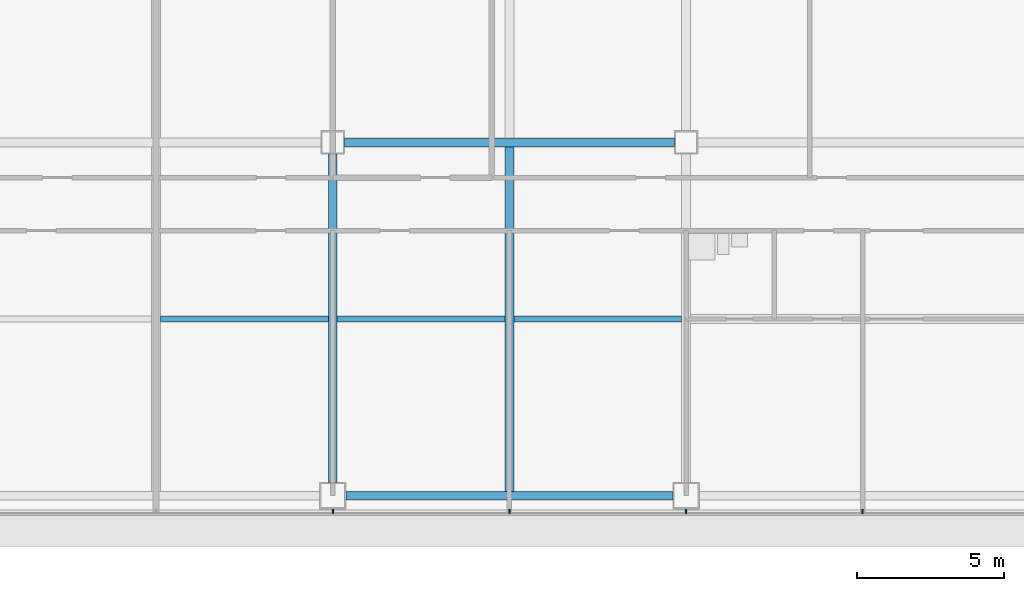
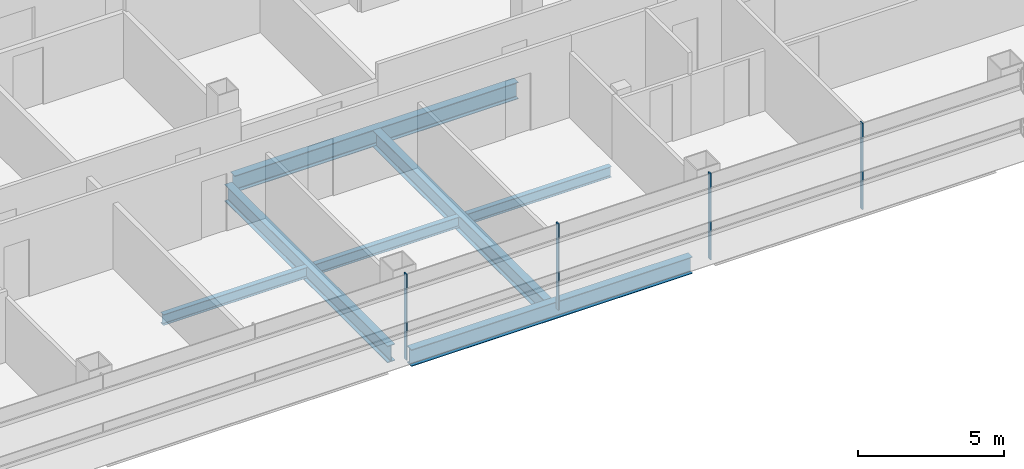
# One storey, part 8 of 27: 7 beams, 4 members, 1 element without a shape of its own.
"""IFC4 building model written with IfcOpenShell, lengths in metres."""

import ifcopenshell
import ifcopenshell.guid

model = None  # the IFC model being written
_history = None  # IfcOwnerHistory: only IFC2X3 demands one
_inside = {}  # id of a spatial element -> (the spatial element, [elements in it])
_under = {}  # id of a project, library or spatial element -> (it, [spatial elements below it])
_declared = {}  # id of a project -> (the project, [libraries it declares])
_typed = {}  # id of a type object -> (the type object, [elements of that type])
_made_of = {}  # id of a material, layer set ... -> (it, [elements and type objects made of it])


def new_model(schema):
    """Start an empty IFC model of exactly this schema.

    Asked for "IFC4X3", IfcOpenShell would pick the latest addendum, in which some entities
    have other attributes; the version numbers below select the first issue.
    IFC2X3 requires an IfcOwnerHistory on every rooted entity: one is made here for all.
    """
    global model, _history
    if schema == "IFC4X3":
        model = ifcopenshell.file(schema_version=(4, 3, 0, 0))
    else:
        model = ifcopenshell.file(schema=schema)
    _inside.clear()
    _under.clear()
    _declared.clear()
    _typed.clear()
    _made_of.clear()
    _history = None
    if model.schema == "IFC2X3":
        org = make("IfcOrganization", Name="unknown")
        user = make(
            "IfcPersonAndOrganization",
            ThePerson=make("IfcPerson", FamilyName="unknown"),
            TheOrganization=org,
        )
        app = make(
            "IfcApplication",
            ApplicationDeveloper=org,
            Version="unknown",
            ApplicationFullName="unknown",
            ApplicationIdentifier="unknown",
        )
        _history = make(
            "IfcOwnerHistory",
            OwningUser=user,
            OwningApplication=app,
            ChangeAction="ADDED",
            CreationDate=0,
        )
    return model


def make(cls, **values):
    """One entity of the class cls with the attributes given. An attribute that is None is left unset."""
    return model.create_entity(
        cls, **{name: value for name, value in values.items() if value is not None}
    )


def rooted(cls, **values):
    """An entity with a GlobalId (a new one), such as an element, a storey or a relation."""
    return make(cls, GlobalId=ifcopenshell.guid.new(), OwnerHistory=_history, **values)


def si_unit(unit_type, name, prefix=None):
    """IfcSIUnit, for example si_unit("LENGTHUNIT", "METRE", prefix="MILLI")."""
    return make("IfcSIUnit", UnitType=unit_type, Prefix=prefix, Name=name)


def assignment(units):
    """IfcUnitAssignment: the units of a project."""
    return None if units is None else make("IfcUnitAssignment", Units=units)


def point(xyz):
    """IfcCartesianPoint."""
    return None if xyz is None else make("IfcCartesianPoint", Coordinates=xyz)


def direction(xyz):
    """IfcDirection."""
    return None if xyz is None else make("IfcDirection", DirectionRatios=xyz)


def frame(location, z_axis=None, x_axis=None):
    """IfcAxis2Placement3D, a coordinate frame: its origin and axes. An axis left out is left unset."""
    return make(
        "IfcAxis2Placement3D",
        Location=point(location),
        Axis=direction(z_axis),
        RefDirection=direction(x_axis),
    )


def frame_2d(location, x_axis=None):
    """IfcAxis2Placement2D, a coordinate frame in the plane: its origin and x axis."""
    return make(
        "IfcAxis2Placement2D", Location=point(location), RefDirection=direction(x_axis)
    )


def origin():
    """The frame at (0, 0, 0) with its axes left unset."""
    return frame((0.0, 0.0, 0.0))


def origin_2d():
    """The frame at (0, 0) in the plane with its x axis left unset."""
    return frame_2d((0.0, 0.0))


def place(relative_to, where):
    """IfcLocalPlacement: puts the frame where relative to a parent placement (None: the world)."""
    return make(
        "IfcLocalPlacement", PlacementRelTo=relative_to, RelativePlacement=where
    )


def context(
    kind, dimensions, precision=None, world=None, true_north=None, identifier=None
):
    """IfcGeometricRepresentationContext, for example the 3D "Model" context."""
    return make(
        "IfcGeometricRepresentationContext",
        ContextIdentifier=identifier,
        ContextType=kind,
        CoordinateSpaceDimension=dimensions,
        Precision=precision,
        WorldCoordinateSystem=world,
        TrueNorth=true_north,
    )


def subcontext(parent, identifier, kind, view, scale=None):
    """IfcGeometricRepresentationSubContext, for example "Body" below "Model"."""
    return make(
        "IfcGeometricRepresentationSubContext",
        ContextIdentifier=identifier,
        ContextType=kind,
        ParentContext=parent,
        TargetScale=scale,
        TargetView=view,
    )


def project(units=None, contexts=None):
    """IfcProject with its units and contexts."""
    return rooted(
        "IfcProject",
        Name="project",
        RepresentationContexts=contexts,
        UnitsInContext=assignment(units),
    )


def spatial(cls, under=None, at=None, **own):
    """A site, building, storey or space (cls), placed at a placement, below another one or the project."""
    s = rooted(cls, ObjectPlacement=at, **own)
    if under is not None:
        _under.setdefault(under.id(), (under, []))[1].append(s)
    return s


def profile(cls, at=None, kind="AREA", **sizes):
    """A parametric profile (cls). Its sizes go by their IFC names, for example OverallWidth=200.0."""
    return make(cls, ProfileType=kind, Position=at, **sizes)


def rectangle(**sizes):
    """IfcRectangleProfileDef."""
    return profile("IfcRectangleProfileDef", **sizes)


def i_section(**sizes):
    """IfcIShapeProfileDef."""
    return profile("IfcIShapeProfileDef", **sizes)


def extrude(swept, where, along, depth):
    """IfcExtrudedAreaSolid: the profile swept, set in the frame where, extruded along a direction by depth."""
    return make(
        "IfcExtrudedAreaSolid",
        SweptArea=swept,
        Position=where,
        ExtrudedDirection=direction(along),
        Depth=depth,
    )


def shape(context_of_items, identifier, shape_type, items):
    """IfcShapeRepresentation: the items that make up one representation, for example the "Body"."""
    return make(
        "IfcShapeRepresentation",
        ContextOfItems=context_of_items,
        RepresentationIdentifier=identifier,
        RepresentationType=shape_type,
        Items=items,
    )


def material(Name=None, Category=None):
    """IfcMaterial."""
    return make("IfcMaterial", Name=Name, Category=Category)


def material_profile(
    of_material, cross_section, Name=None, Category=None, Priority=None
):
    """IfcMaterialProfile: a cross section and its material."""
    return make(
        "IfcMaterialProfile",
        Name=Name,
        Material=of_material,
        Profile=cross_section,
        Priority=Priority,
        Category=Category,
    )


def profile_set(profiles, Name=None, composite=None):
    """IfcMaterialProfileSet."""
    return make(
        "IfcMaterialProfileSet",
        Name=Name,
        MaterialProfiles=profiles,
        CompositeProfile=composite,
    )


def made_of(thing, what):
    """Note that an element or type object is made of a material, layer set ...; save() writes the relation."""
    if what is not None:
        _made_of.setdefault(what.id(), (what, []))[1].append(thing)
    return thing


def type_object(cls, material=None, **own):
    """A type object (cls), such as IfcWallType, which elements share."""
    return made_of(rooted(cls, **own), material)


def element(
    cls,
    number,
    at=None,
    inside=None,
    cuts=None,
    type_object=None,
    material=None,
    context=None,
    identifier="Body",
    shape_type=None,
    held_by="IfcProductDefinitionShape",
    body=None,
    shapes=None,
    **own,
):
    """One element of the class cls, such as IfcWall. Its Tag is "e" and its number.

    at: its placement. inside: the storey or other place that contains it. cuts: it is an
    opening in that element (IfcRelVoidsElement). A single representation is given by context,
    identifier, shape_type and body (its items); several are given by shapes. held_by: the class
    of the entity that holds the representations. save() writes the other relations.
    """
    e = rooted(cls, Tag="e%d" % number, ObjectPlacement=at, **own)
    if body is not None:
        shapes = [shape(context, identifier, shape_type, body)]
    if shapes is not None:
        e.Representation = make(held_by, Representations=shapes)
    if inside is not None:
        _inside.setdefault(inside.id(), (inside, []))[1].append(e)
    if cuts is not None:
        rooted(
            "IfcRelVoidsElement", RelatingBuildingElement=cuts, RelatedOpeningElement=e
        )
    if type_object is not None:
        _typed.setdefault(type_object.id(), (type_object, []))[1].append(e)
    return made_of(e, material)


def aggregate(whole, parts):
    """IfcRelAggregates: a whole, such as a stair, and the parts it consists of."""
    return rooted("IfcRelAggregates", RelatingObject=whole, RelatedObjects=parts)


def save(model, path):
    """Write the relations noted so far, then the file.

    IfcRelAggregates (storeys below a building ...), IfcRelContainedInSpatialStructure (elements
    in a storey), IfcRelDefinesByType, IfcRelAssociatesMaterial and IfcRelDeclares: one each for
    every whole, place, type object, material and project.
    """
    for whole, parts in _under.values():
        aggregate(whole, parts)
    for where, things in _inside.values():
        rooted(
            "IfcRelContainedInSpatialStructure",
            RelatedElements=things,
            RelatingStructure=where,
        )
    for kind, things in _typed.values():
        rooted("IfcRelDefinesByType", RelatedObjects=things, RelatingType=kind)
    for what, things in _made_of.values():
        rooted("IfcRelAssociatesMaterial", RelatedObjects=things, RelatingMaterial=what)
    for by, libraries in _declared.values():
        rooted("IfcRelDeclares", RelatingContext=by, RelatedDefinitions=libraries)
    model.write(path)


model = new_model("IFC4")

# Units and contexts
model_context = context("Model", 3, precision=1e-05, world=origin(), true_north=direction((0.0, 1.0)))
body_context = subcontext(model_context, "Body", "Model", "MODEL_VIEW")
ifc_project = project(units=[si_unit("LENGTHUNIT", "METRE"), si_unit("AREAUNIT", "SQUARE_METRE"), si_unit("VOLUMEUNIT", "CUBIC_METRE"), si_unit("PLANEANGLEUNIT", "RADIAN"), si_unit("MASSUNIT", "GRAM", prefix="KILO")], contexts=[model_context])

# Site, building, storey
site_placement = place(None, origin())
site = spatial("IfcSite", under=ifc_project, at=site_placement, CompositionType="ELEMENT")
building_placement = place(site_placement, origin())
building = spatial("IfcBuilding", under=site, at=building_placement, Name="Sorahane Residences", CompositionType="ELEMENT")
storey_placement = place(building_placement, frame((0.0, 0.0, 75.0)))
storey = spatial("IfcBuildingStorey", under=building, at=storey_placement, Name="L15", CompositionType="ELEMENT", Elevation=75.0)

# Curtain wall, members
ifc_material_1 = material(Name="Dark low-e glass and black anodised aluminium", Category="aluminium")
curtain_wall_type = type_object("IfcCurtainWallType", Name="Curtain wall CW-1 Typical unitised wall", PredefinedType="NOTDEFINED", material=ifc_material_1)
curtain_wall_placement = place(storey_placement, origin())
curtain_wall = element("IfcCurtainWall", 1, at=curtain_wall_placement, inside=storey, type_object=curtain_wall_type, Name="CW-1 curtain wall L15 S1", PredefinedType="NOTDEFINED")
ifc_material_2 = material(Name="Black anodised aluminium", Category="aluminium")
ifc_material_profile_1 = material_profile(ifc_material_2, rectangle(XDim=0.159912109375, YDim=0.050048828125, at=origin_2d()), Name="Curtain wall mullion CW-1 black anodised aluminium 50x160")
ifc_profile_set_1 = profile_set([ifc_material_profile_1], Name="Black anodised aluminium")
member_type = type_object("IfcMemberType", Name="Curtain wall mullion CW-1 black anodised aluminium 50x160", PredefinedType="MULLION", material=ifc_profile_set_1)
member_1_placement = place(storey_placement, frame((36.0, -0.5400390625, -0.179931640625), z_axis=(0.0, 0.0, 1.0), x_axis=(0.0, -1.0, 0.0)))
member_1 = element("IfcMember", 2, at=member_1_placement, type_object=member_type, Name="CW-1 mullion L15 S1.6", PredefinedType="MULLION", context=body_context, shape_type="SweptSolid", body=[
    extrude(rectangle(XDim=0.159912109375, YDim=0.050048828125, at=origin_2d()), origin(), (0.0, 0.0, 1.0), 3.599853515625),
])
member_2_placement = place(storey_placement, frame((42.0, -0.5400390625, -0.179931640625), z_axis=(0.0, 0.0, 1.0), x_axis=(0.0, -1.0, 0.0)))
member_2 = element("IfcMember", 3, at=member_2_placement, type_object=member_type, Name="CW-1 mullion L15 S1.7", PredefinedType="MULLION", context=body_context, shape_type="SweptSolid", body=[
    extrude(rectangle(XDim=0.159912109375, YDim=0.050048828125, at=origin_2d()), origin(), (0.0, 0.0, 1.0), 3.599853515625),
])
member_3_placement = place(storey_placement, frame((48.0, -0.5400390625, -0.179931640625), z_axis=(0.0, 0.0, 1.0), x_axis=(0.0, -1.0, 0.0)))
member_3 = element("IfcMember", 4, at=member_3_placement, type_object=member_type, Name="CW-1 mullion L15 S1.8", PredefinedType="MULLION", context=body_context, shape_type="SweptSolid", body=[
    extrude(rectangle(XDim=0.159912109375, YDim=0.050048828125, at=origin_2d()), origin(), (0.0, 0.0, 1.0), 3.599853515625),
])
member_4_placement = place(storey_placement, frame((54.0, -0.5400390625, -0.179931640625), z_axis=(0.0, 0.0, 1.0), x_axis=(0.0, -1.0, 0.0)))
member_4 = element("IfcMember", 5, at=member_4_placement, type_object=member_type, Name="CW-1 mullion L15 S1.9", PredefinedType="MULLION", context=body_context, shape_type="SweptSolid", body=[
    extrude(rectangle(XDim=0.159912109375, YDim=0.050048828125, at=origin_2d()), origin(), (0.0, 0.0, 1.0), 3.599853515625),
])
aggregate(curtain_wall, [member_1, member_2, member_3, member_4])

# Beams
ifc_material_3 = material(Name="Steel Q355B", Category="steel")
ifc_material_profile_2 = material_profile(ifc_material_3, i_section(OverallWidth=0.199951171875, OverallDepth=0.449951171875, WebThickness=0.009033203125, FlangeThickness=0.013916015625, FilletRadius=0.02001953125, at=origin_2d()), Name="HN 450x200x9x14")
ifc_profile_set_2 = profile_set([ifc_material_profile_2], Name="Steel Q355B")
beam_type_1 = type_object("IfcBeamType", Name="Steel floor beam HN 450x200x9x14 Q355B", PredefinedType="BEAM", material=ifc_profile_set_2)
for number, where, z_axis, x_axis, name in (
    (6, (30.14990234375, 6.0, -0.405029296875), (1.0, 0.0, 0.0), (0.0, 1.0, 0.0), "Beam L15 066"),
    (7, (36.14990234375, 6.0, -0.405029296875), (1.0, 0.0, 0.0), (0.0, 1.0, 0.0), "Beam L15 067"),
    (8, (42.14990234375, 6.0, -0.405029296875), (1.0, 0.0, 0.0), (0.0, 1.0, 0.0), "Beam L15 068"),
):
    element("IfcBeam", number, at=place(storey_placement, frame(where, z_axis=z_axis, x_axis=x_axis)), inside=storey, type_object=beam_type_1, Name=name, PredefinedType="BEAM", context=body_context, shape_type="SweptSolid", body=[
        extrude(i_section(OverallWidth=0.199951171875, OverallDepth=0.449951171875, WebThickness=0.009033203125, FlangeThickness=0.013916015625, FilletRadius=0.02001953125, at=origin_2d()), origin(), (0.0, 0.0, 1.0), 5.7001953125),
    ])
ifc_material_4 = material(Name="Steel Q355B", Category="steel")
ifc_material_profile_3 = material_profile(ifc_material_4, i_section(OverallWidth=0.300048828125, OverallDepth=0.699951171875, WebThickness=0.012939453125, FlangeThickness=0.02392578125, FilletRadius=0.028076171875, at=origin_2d()), Name="HN 700x300x13x24")
ifc_profile_set_3 = profile_set([ifc_material_profile_3], Name="Steel Q355B")
beam_type_2 = type_object("IfcBeamType", Name="Steel floor beam HN 700x300x13x24 Q355B", PredefinedType="BEAM", material=ifc_profile_set_3)
beam_1_placement = place(storey_placement, frame((36.449951171875, 0.0, -0.530029296875), z_axis=(1.0, 0.0, 0.0), x_axis=(0.0, 1.0, 0.0)))
element("IfcBeam", 9, at=beam_1_placement, inside=storey, type_object=beam_type_2, Name="Beam L15 003", PredefinedType="BEAM", context=body_context, shape_type="SweptSolid", body=[
    extrude(i_section(OverallWidth=0.300048828125, OverallDepth=0.699951171875, WebThickness=0.012939453125, FlangeThickness=0.02392578125, FilletRadius=0.028076171875, at=origin_2d()), origin(), (0.0, 0.0, 1.0), 11.10009765625),
])
beam_2_placement = place(storey_placement, frame((36.39990234375, 12.0, -0.530029296875), z_axis=(1.0, 0.0, 0.0), x_axis=(0.0, 1.0, 0.0)))
element("IfcBeam", 10, at=beam_2_placement, inside=storey, type_object=beam_type_2, Name="Beam L15 008", PredefinedType="BEAM", context=body_context, shape_type="SweptSolid", body=[
    extrude(i_section(OverallWidth=0.300048828125, OverallDepth=0.699951171875, WebThickness=0.012939453125, FlangeThickness=0.02392578125, FilletRadius=0.028076171875, at=origin_2d()), origin(), (0.0, 0.0, 1.0), 11.2001953125),
])
beam_3_placement = place(storey_placement, frame((36.0, 0.449951171875, -0.530029296875), z_axis=(0.0, 1.0, 0.0), x_axis=(-1.0, 0.0, 0.0)))
element("IfcBeam", 11, at=beam_3_placement, inside=storey, type_object=beam_type_2, Name="Beam L15 043", PredefinedType="BEAM", context=body_context, shape_type="SweptSolid", body=[
    extrude(i_section(OverallWidth=0.300048828125, OverallDepth=0.699951171875, WebThickness=0.012939453125, FlangeThickness=0.02392578125, FilletRadius=0.028076171875, at=origin_2d()), origin(), (0.0, 0.0, 1.0), 11.150146484375),
])
beam_4_placement = place(storey_placement, frame((42.0, 0.14990234375, -0.530029296875), z_axis=(0.0, 1.0, 0.0), x_axis=(-1.0, 0.0, 0.0)))
element("IfcBeam", 12, at=beam_4_placement, inside=storey, type_object=beam_type_2, Name="Beam L15 045", PredefinedType="BEAM", context=body_context, shape_type="SweptSolid", body=[
    extrude(i_section(OverallWidth=0.300048828125, OverallDepth=0.699951171875, WebThickness=0.012939453125, FlangeThickness=0.02392578125, FilletRadius=0.028076171875, at=origin_2d()), origin(), (0.0, 0.0, 1.0), 11.7001953125),
])

save(model, "model.ifc")
